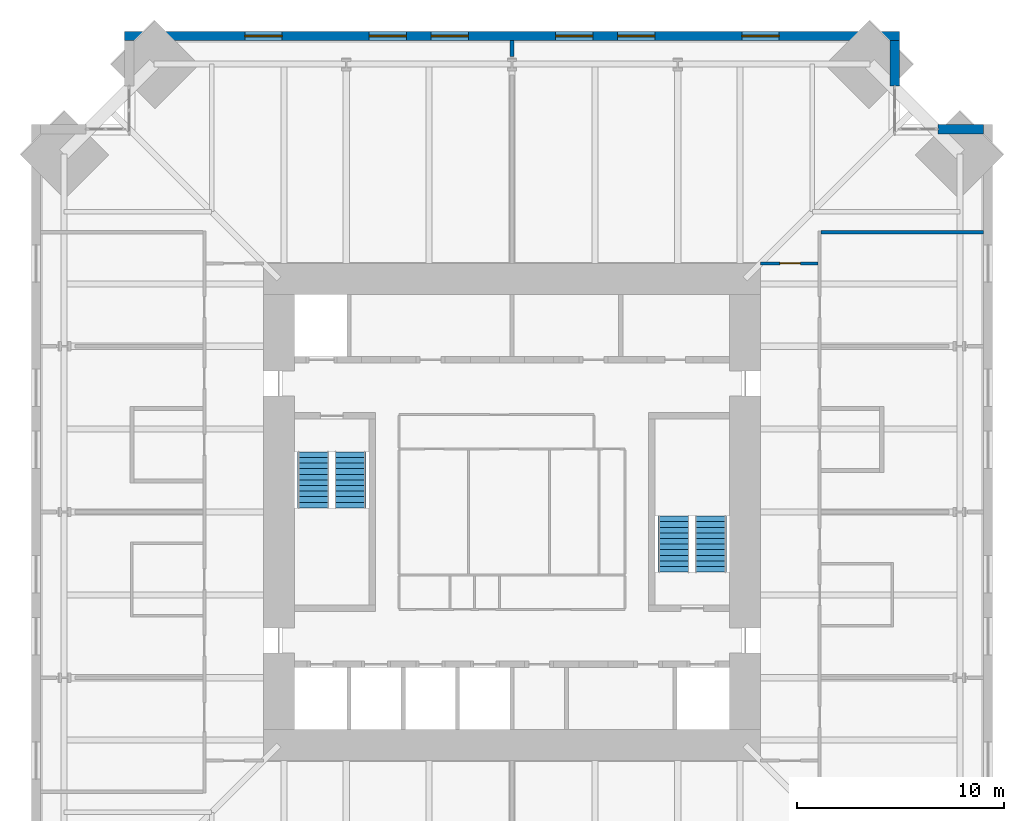
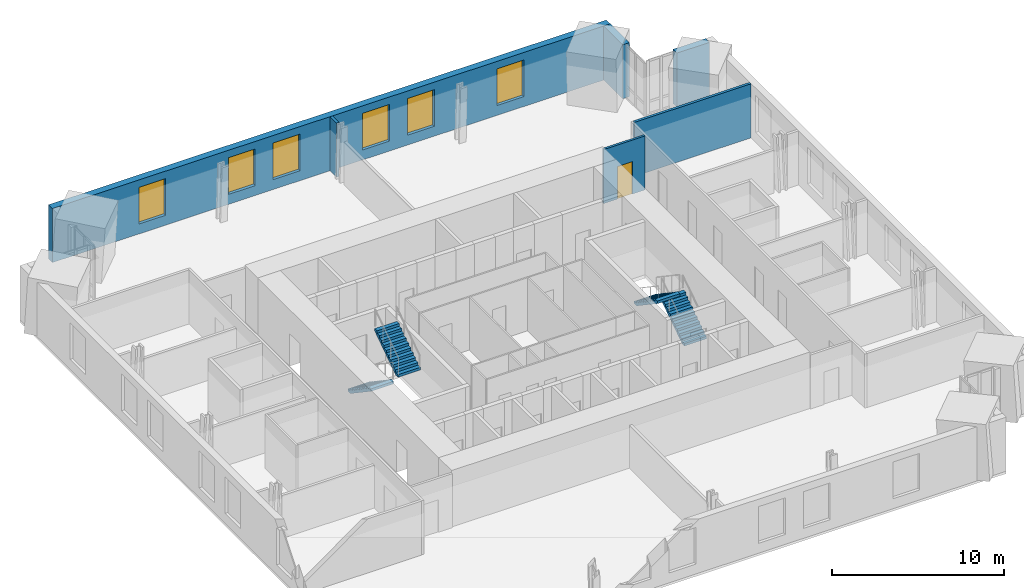
# One storey, part 14 of 15: 6 walls, 6 windows, 4 stair flights, 1 door, 7 openings, 2 elements without a shape of their own.
"""IFC4 building model written with IfcOpenShell, lengths in metres."""

from ifc_helpers import new_model, si_unit, direction, frame, frame_2d, origin, place, context, subcontext, project, spatial, polyline, rectangle, outline, extrude, material, layer, layer_set, type_object, element, fill, aggregate, save


model = new_model("IFC4")

# Units and contexts
model_context = context("Model", 3, precision=1e-05, world=origin(), true_north=direction((0.0, 1.0)))
body_context = subcontext(model_context, "Body", "Model", "MODEL_VIEW")
ifc_project = project(units=[si_unit("LENGTHUNIT", "METRE"), si_unit("AREAUNIT", "SQUARE_METRE"), si_unit("VOLUMEUNIT", "CUBIC_METRE"), si_unit("PLANEANGLEUNIT", "RADIAN"), si_unit("MASSUNIT", "GRAM", prefix="KILO")], contexts=[model_context])

# Site, building, storey
site_placement = place(None, origin())
site = spatial("IfcSite", under=ifc_project, at=site_placement, CompositionType="ELEMENT")
building_placement = place(site_placement, origin())
building = spatial("IfcBuilding", under=site, at=building_placement, Name="Peilmerk Tower", CompositionType="ELEMENT")
storey_placement = place(building_placement, frame((0.0, 0.0, 229.800048828125)))
storey = spatial("IfcBuildingStorey", under=building, at=storey_placement, Name="L50", CompositionType="ELEMENT", Elevation=229.800048828125)

# Wall, openings, windows
ifc_material_1 = material(Name="Precast concrete C45/55, board-marked finish", Category="concrete")
ifc_layer_1 = layer(ifc_material_1, 0.449951171875)
ifc_layer_set_1 = layer_set([ifc_layer_1], Name="Precast concrete C45/55, board-marked finish")
wall_type_1 = type_object("IfcWallType", Name="EW1 450 precast concrete facade wall, board-marked", PredefinedType="SOLIDWALL", material=ifc_layer_set_1)
wall_1_placement = place(storey_placement, frame((18.699951171875, 22.97509765625, 0.0), z_axis=(0.0, 0.0, 1.0), x_axis=(-1.0, 0.0, 0.0)))
wall_1 = element("IfcWall", 1, at=wall_1_placement, inside=storey, type_object=wall_type_1, Name="Facade wall N L50", PredefinedType="SOLIDWALL", context=body_context, shape_type="SweptSolid", body=[
    extrude(rectangle(XDim=37.39990234375, YDim=0.449951171875, at=frame_2d((18.699951171875, 0.0))), origin(), (0.0, 0.0, 1.0), 3.829833984375),
])
opening_1_placement = place(wall_1_placement, frame((5.800048828125, 0.0, 0.699951171875)))
opening_1 = element("IfcOpeningElement", 2, at=opening_1_placement, cuts=wall_1, Name="Opening W1", PredefinedType="OPENING", context=body_context, shape_type="SweptSolid", body=[
    extrude(rectangle(XDim=1.800048828125, YDim=2.60009765625, at=frame_2d((0.89990234375, 1.300048828125))), frame((0.0, 0.23486328125, 0.0), z_axis=(0.0, -1.0, 0.0), x_axis=(1.0, 0.0, 0.0)), (0.0, 0.0, 1.0), 0.469970703125),
])
opening_2_placement = place(wall_1_placement, frame((11.800048828125, 0.0, 0.699951171875)))
opening_2 = element("IfcOpeningElement", 3, at=opening_2_placement, cuts=wall_1, Name="Opening W1", PredefinedType="OPENING", context=body_context, shape_type="SweptSolid", body=[
    extrude(rectangle(XDim=1.800048828125, YDim=2.60009765625, at=frame_2d((0.89990234375, 1.300048828125))), frame((0.0, 0.23486328125, 0.0), z_axis=(0.0, -1.0, 0.0), x_axis=(1.0, 0.0, 0.0)), (0.0, 0.0, 1.0), 0.469970703125),
])
opening_3_placement = place(wall_1_placement, frame((14.800048828125, 0.0, 0.699951171875)))
opening_3 = element("IfcOpeningElement", 4, at=opening_3_placement, cuts=wall_1, Name="Opening W1", PredefinedType="OPENING", context=body_context, shape_type="SweptSolid", body=[
    extrude(rectangle(XDim=1.800048828125, YDim=2.60009765625, at=frame_2d((0.89990234375, 1.300048828125))), frame((0.0, 0.23486328125, 0.0), z_axis=(0.0, -1.0, 0.0), x_axis=(1.0, 0.0, 0.0)), (0.0, 0.0, 1.0), 0.469970703125),
])
opening_4_placement = place(wall_1_placement, frame((20.800048828125, 0.0, 0.699951171875)))
opening_4 = element("IfcOpeningElement", 5, at=opening_4_placement, cuts=wall_1, Name="Opening W1", PredefinedType="OPENING", context=body_context, shape_type="SweptSolid", body=[
    extrude(rectangle(XDim=1.800048828125, YDim=2.60009765625, at=frame_2d((0.89990234375, 1.300048828125))), frame((0.0, 0.23486328125, 0.0), z_axis=(0.0, -1.0, 0.0), x_axis=(1.0, 0.0, 0.0)), (0.0, 0.0, 1.0), 0.469970703125),
])
opening_5_placement = place(wall_1_placement, frame((23.800048828125, 0.0, 0.699951171875)))
opening_5 = element("IfcOpeningElement", 6, at=opening_5_placement, cuts=wall_1, Name="Opening W1", PredefinedType="OPENING", context=body_context, shape_type="SweptSolid", body=[
    extrude(rectangle(XDim=1.800048828125, YDim=2.60009765625, at=frame_2d((0.89990234375, 1.300048828125))), frame((0.0, 0.23486328125, 0.0), z_axis=(0.0, -1.0, 0.0), x_axis=(1.0, 0.0, 0.0)), (0.0, 0.0, 1.0), 0.469970703125),
])
opening_6_placement = place(wall_1_placement, frame((29.800048828125, 0.0, 0.699951171875)))
opening_6 = element("IfcOpeningElement", 7, at=opening_6_placement, cuts=wall_1, Name="Opening W1", PredefinedType="OPENING", context=body_context, shape_type="SweptSolid", body=[
    extrude(rectangle(XDim=1.800048828125, YDim=2.60009765625, at=frame_2d((0.89990234375, 1.300048828125))), frame((0.0, 0.23486328125, 0.0), z_axis=(0.0, -1.0, 0.0), x_axis=(1.0, 0.0, 0.0)), (0.0, 0.0, 1.0), 0.469970703125),
])
ifc_material_2 = material(Name="Aluminium frame, clear double glazing", Category="aluminium")
window_type = type_object("IfcWindowType", Name="W1 1800x2600 office window", PartitioningType="SINGLE_PANEL", PredefinedType="WINDOW", material=ifc_material_2)
window_1_placement = place(opening_1_placement, origin())
window_1 = element("IfcWindow", 8, at=window_1_placement, inside=storey, type_object=window_type, Name="Window W1 L50", OverallHeight=2.60009765625, OverallWidth=1.800048828125, PartitioningType="SINGLE_PANEL", PredefinedType="WINDOW", context=body_context, shape_type="SweptSolid", body=[
    extrude(rectangle(XDim=1.800048828125, YDim=2.60009765625, at=frame_2d((0.89990234375, 1.300048828125))), frame((0.0, 0.030029296875, 0.0), z_axis=(0.0, -1.0, 0.0), x_axis=(1.0, 0.0, 0.0)), (0.0, 0.0, 1.0), 0.06005859375),
])
fill(opening_1, window_1)
window_2_placement = place(opening_2_placement, origin())
window_2 = element("IfcWindow", 9, at=window_2_placement, inside=storey, type_object=window_type, Name="Window W1 L50", OverallHeight=2.60009765625, OverallWidth=1.800048828125, PartitioningType="SINGLE_PANEL", PredefinedType="WINDOW", context=body_context, shape_type="SweptSolid", body=[
    extrude(rectangle(XDim=1.800048828125, YDim=2.60009765625, at=frame_2d((0.89990234375, 1.300048828125))), frame((0.0, 0.030029296875, 0.0), z_axis=(0.0, -1.0, 0.0), x_axis=(1.0, 0.0, 0.0)), (0.0, 0.0, 1.0), 0.06005859375),
])
fill(opening_2, window_2)
window_3_placement = place(opening_3_placement, origin())
window_3 = element("IfcWindow", 10, at=window_3_placement, inside=storey, type_object=window_type, Name="Window W1 L50", OverallHeight=2.60009765625, OverallWidth=1.800048828125, PartitioningType="SINGLE_PANEL", PredefinedType="WINDOW", context=body_context, shape_type="SweptSolid", body=[
    extrude(rectangle(XDim=1.800048828125, YDim=2.60009765625, at=frame_2d((0.89990234375, 1.300048828125))), frame((0.0, 0.030029296875, 0.0), z_axis=(0.0, -1.0, 0.0), x_axis=(1.0, 0.0, 0.0)), (0.0, 0.0, 1.0), 0.06005859375),
])
fill(opening_3, window_3)
window_4_placement = place(opening_4_placement, origin())
window_4 = element("IfcWindow", 11, at=window_4_placement, inside=storey, type_object=window_type, Name="Window W1 L50", OverallHeight=2.60009765625, OverallWidth=1.800048828125, PartitioningType="SINGLE_PANEL", PredefinedType="WINDOW", context=body_context, shape_type="SweptSolid", body=[
    extrude(rectangle(XDim=1.800048828125, YDim=2.60009765625, at=frame_2d((0.89990234375, 1.300048828125))), frame((0.0, 0.030029296875, 0.0), z_axis=(0.0, -1.0, 0.0), x_axis=(1.0, 0.0, 0.0)), (0.0, 0.0, 1.0), 0.06005859375),
])
fill(opening_4, window_4)
window_5_placement = place(opening_5_placement, origin())
window_5 = element("IfcWindow", 12, at=window_5_placement, inside=storey, type_object=window_type, Name="Window W1 L50", OverallHeight=2.60009765625, OverallWidth=1.800048828125, PartitioningType="SINGLE_PANEL", PredefinedType="WINDOW", context=body_context, shape_type="SweptSolid", body=[
    extrude(rectangle(XDim=1.800048828125, YDim=2.60009765625, at=frame_2d((0.89990234375, 1.300048828125))), frame((0.0, 0.030029296875, 0.0), z_axis=(0.0, -1.0, 0.0), x_axis=(1.0, 0.0, 0.0)), (0.0, 0.0, 1.0), 0.06005859375),
])
fill(opening_5, window_5)
window_6_placement = place(opening_6_placement, origin())
window_6 = element("IfcWindow", 13, at=window_6_placement, inside=storey, type_object=window_type, Name="Window W1 L50", OverallHeight=2.60009765625, OverallWidth=1.800048828125, PartitioningType="SINGLE_PANEL", PredefinedType="WINDOW", context=body_context, shape_type="SweptSolid", body=[
    extrude(rectangle(XDim=1.800048828125, YDim=2.60009765625, at=frame_2d((0.89990234375, 1.300048828125))), frame((0.0, 0.030029296875, 0.0), z_axis=(0.0, -1.0, 0.0), x_axis=(1.0, 0.0, 0.0)), (0.0, 0.0, 1.0), 0.06005859375),
])
fill(opening_6, window_6)

# Walls
for number, where, z_axis, x_axis, name in (
    (14, (18.47509765625, 20.5537109375, 0.0), (0.0, 0.0, 1.0), (0.0, 1.0, 0.0), "Facade wall NEA L50"),
    (15, (20.5537109375, 18.47509765625, 0.0), (0.0, 0.0, 1.0), (1.0, 0.0, 0.0), "Facade wall NEB L50"),
):
    element("IfcWall", number, at=place(storey_placement, frame(where, z_axis=z_axis, x_axis=x_axis)), inside=storey, type_object=wall_type_1, Name=name, PredefinedType="SOLIDWALL", context=body_context, shape_type="SweptSolid", body=[
        extrude(rectangle(XDim=2.1962890625, YDim=0.449951171875, at=frame_2d((1.09814453125, 0.0))), origin(), (0.0, 0.0, 1.0), 3.829833984375),
    ])

# Wall, opening, door
ifc_material_3 = material(Name="Calcium silicate block", Category="masonry")
ifc_layer_2 = layer(ifc_material_3, 0.14990234375)
ifc_layer_set_2 = layer_set([ifc_layer_2], Name="Calcium silicate block")
wall_type_2 = type_object("IfcWallType", Name="IW1 150 corridor partition, EI 60", PredefinedType="PARTITIONING", material=ifc_layer_set_2)
wall_2_placement = place(storey_placement, frame((12.0, 12.0, 0.0), z_axis=(0.0, 0.0, 1.0), x_axis=(1.0, 0.0, 0.0)))
wall_2 = element("IfcWall", 16, at=wall_2_placement, inside=storey, type_object=wall_type_2, Name="Corridor wall NE L50", PredefinedType="PARTITIONING", context=body_context, shape_type="SweptSolid", body=[
    extrude(rectangle(XDim=2.77490234375, YDim=0.14990234375, at=frame_2d((1.387451171875, 0.0))), origin(), (0.0, 0.0, 1.0), 3.829833984375),
])
opening_7_placement = place(wall_2_placement, frame((0.925048828125, 0.0, 0.0)))
opening_7 = element("IfcOpeningElement", 17, at=opening_7_placement, cuts=wall_2, Name="Opening D1", PredefinedType="OPENING", context=body_context, shape_type="SweptSolid", body=[
    extrude(rectangle(XDim=1.0, YDim=2.300048828125, at=frame_2d((0.5, 1.14990234375))), frame((0.0, 0.0849609375, 0.0), z_axis=(0.0, -1.0, 0.0), x_axis=(1.0, 0.0, 0.0)), (0.0, 0.0, 1.0), 0.169921875),
])
ifc_material_4 = material(Name="Timber door in steel frame", Category="steel")
door_type = type_object("IfcDoorType", Name="D1 1000x2300 room door, EI2 30", OperationType="SINGLE_SWING_LEFT", PredefinedType="DOOR", material=ifc_material_4)
door_placement = place(opening_7_placement, origin())
door = element("IfcDoor", 18, at=door_placement, inside=storey, type_object=door_type, Name="Door Office L50", OperationType="SINGLE_SWING_LEFT", OverallHeight=2.300048828125, OverallWidth=1.0, PredefinedType="DOOR", context=body_context, shape_type="SweptSolid", body=[
    extrude(rectangle(XDim=1.0, YDim=2.300048828125, at=frame_2d((0.5, 1.14990234375))), frame((0.0, 0.02490234375, 0.0), z_axis=(0.0, -1.0, 0.0), x_axis=(1.0, 0.0, 0.0)), (0.0, 0.0, 1.0), 0.050048828125),
])
fill(opening_7, door)

# Walls
ifc_layer_3 = layer(ifc_material_3, 0.175048828125)
ifc_layer_set_3 = layer_set([ifc_layer_3], Name="Calcium silicate block")
wall_type_3 = type_object("IfcWallType", Name="IW8 175 tenant separating wall, EI 60", PredefinedType="PARTITIONING", material=ifc_layer_set_3)
wall_3_placement = place(storey_placement, frame((14.925048828125, 13.5, 0.0), z_axis=(0.0, 0.0, 1.0), x_axis=(1.0, 0.0, 0.0)))
element("IfcWall", 19, at=wall_3_placement, inside=storey, type_object=wall_type_3, Name="Tenant separating wall NE L50", PredefinedType="PARTITIONING", context=body_context, shape_type="SweptSolid", body=[
    extrude(rectangle(XDim=7.824951171875, YDim=0.175048828125, at=frame_2d((3.91259765625, 0.0))), origin(), (0.0, 0.0, 1.0), 3.829833984375),
])
wall_4_placement = place(storey_placement, frame((0.0, 21.99462890625, 0.0), z_axis=(0.0, 0.0, 1.0), x_axis=(0.0, 1.0, 0.0)))
element("IfcWall", 20, at=wall_4_placement, inside=storey, type_object=wall_type_3, Name="Tenant separating wall N1b L50", PredefinedType="PARTITIONING", context=body_context, shape_type="SweptSolid", body=[
    extrude(rectangle(XDim=0.75537109375, YDim=0.175048828125, at=frame_2d((0.377685546875, 0.0))), origin(), (0.0, 0.0, 1.0), 3.829833984375),
])

# Stair, stair flights
ifc_material_5 = material(Name="Precast concrete C45/55", Category="concrete")
stair_type_1 = type_object("IfcStairType", Name="ST1 22 risers of 181.8", PredefinedType="HALF_TURN_STAIR", material=ifc_material_5)
stair_1_placement = place(storey_placement, origin())
stair_1 = element("IfcStair", 21, at=stair_1_placement, inside=storey, type_object=stair_type_1, Name="Stair 1 L50 to L51", PredefinedType="HALF_TURN_STAIR")
stair_flight_type = type_object("IfcStairFlightType", Name="SF11 flight, 11 risers of 181.8", PredefinedType="STRAIGHT", material=ifc_material_5)
stair_flight_1_placement = place(storey_placement, frame((-9.60009765625, 2.89990234375, 0.0), z_axis=(0.0, 0.0, 1.0), x_axis=(0.0, -1.0, 0.0)))
stair_flight_1 = element("IfcStairFlight", 22, at=stair_flight_1_placement, type_object=stair_flight_type, Name="ST1 flight 1", NumberOfRisers=11, NumberOfTreads=10, PredefinedType="STRAIGHT", RiserHeight=0.181818182, TreadLength=0.27, context=body_context, shape_type="SweptSolid", body=[
    extrude(outline(polyline([(0.0, 0.0), (0.0, 0.181884765625), (0.27001953125, 0.181884765625), (0.27001953125, 0.363525390625), (0.5400390625, 0.363525390625), (0.5400390625, 0.54541015625), (0.81005859375, 0.54541015625), (0.81005859375, 0.727294921875), (1.080078125, 0.727294921875), (1.080078125, 0.9091796875), (1.35009765625, 0.9091796875), (1.35009765625, 1.0908203125), (1.6201171875, 1.0908203125), (1.6201171875, 1.272705078125), (1.889892578125, 1.272705078125), (1.889892578125, 1.45458984375), (2.159912109375, 1.45458984375), (2.159912109375, 1.636474609375), (2.429931640625, 1.636474609375), (2.429931640625, 1.818115234375), (2.699951171875, 1.818115234375), (2.699951171875, 2.0), (2.699951171875, 1.637451171875), (0.268310546875, 0.0), (0.0, 0.0)])), frame((0.0, 0.75, 0.0), z_axis=(0.0, -1.0, 0.0), x_axis=(1.0, 0.0, 0.0)), (0.0, 0.0, 1.0), 1.5),
])
stair_flight_2_placement = place(storey_placement, frame((-7.800048828125, 0.199951171875, 2.0), z_axis=(0.0, 0.0, 1.0), x_axis=(0.0, 1.0, 0.0)))
stair_flight_2 = element("IfcStairFlight", 23, at=stair_flight_2_placement, type_object=stair_flight_type, Name="ST1 flight 2", NumberOfRisers=11, NumberOfTreads=10, PredefinedType="STRAIGHT", RiserHeight=0.181818182, TreadLength=0.27, context=body_context, shape_type="SweptSolid", body=[
    extrude(outline(polyline([(0.0, 0.0), (0.0, 0.181884765625), (0.27001953125, 0.181884765625), (0.27001953125, 0.363525390625), (0.5400390625, 0.363525390625), (0.5400390625, 0.54541015625), (0.81005859375, 0.54541015625), (0.81005859375, 0.727294921875), (1.080078125, 0.727294921875), (1.080078125, 0.9091796875), (1.35009765625, 0.9091796875), (1.35009765625, 1.0908203125), (1.6201171875, 1.0908203125), (1.6201171875, 1.272705078125), (1.889892578125, 1.272705078125), (1.889892578125, 1.45458984375), (2.159912109375, 1.45458984375), (2.159912109375, 1.636474609375), (2.429931640625, 1.636474609375), (2.429931640625, 1.818115234375), (2.699951171875, 1.818115234375), (2.699951171875, 2.0), (2.699951171875, 1.637451171875), (0.268310546875, 0.0), (0.0, 0.0)])), frame((0.0, 0.75, 0.0), z_axis=(0.0, -1.0, 0.0), x_axis=(1.0, 0.0, 0.0)), (0.0, 0.0, 1.0), 1.5),
])
aggregate(stair_1, [stair_flight_1, stair_flight_2])

stair_type_2 = type_object("IfcStairType", Name="ST2 22 risers of 181.8", PredefinedType="HALF_TURN_STAIR", material=ifc_material_5)
stair_2_placement = place(storey_placement, origin())
stair_2 = element("IfcStair", 24, at=stair_2_placement, inside=storey, type_object=stair_type_2, Name="Stair 2 L50 to L51", PredefinedType="HALF_TURN_STAIR")
stair_flight_3_placement = place(storey_placement, frame((9.60009765625, -2.89990234375, 0.0), z_axis=(0.0, 0.0, 1.0), x_axis=(0.0, 1.0, 0.0)))
stair_flight_3 = element("IfcStairFlight", 25, at=stair_flight_3_placement, type_object=stair_flight_type, Name="ST2 flight 1", NumberOfRisers=11, NumberOfTreads=10, PredefinedType="STRAIGHT", RiserHeight=0.181818182, TreadLength=0.27, context=body_context, shape_type="SweptSolid", body=[
    extrude(outline(polyline([(0.0, 0.0), (0.0, 0.181884765625), (0.27001953125, 0.181884765625), (0.27001953125, 0.363525390625), (0.5400390625, 0.363525390625), (0.5400390625, 0.54541015625), (0.81005859375, 0.54541015625), (0.81005859375, 0.727294921875), (1.080078125, 0.727294921875), (1.080078125, 0.9091796875), (1.35009765625, 0.9091796875), (1.35009765625, 1.0908203125), (1.6201171875, 1.0908203125), (1.6201171875, 1.272705078125), (1.889892578125, 1.272705078125), (1.889892578125, 1.45458984375), (2.159912109375, 1.45458984375), (2.159912109375, 1.636474609375), (2.429931640625, 1.636474609375), (2.429931640625, 1.818115234375), (2.699951171875, 1.818115234375), (2.699951171875, 2.0), (2.699951171875, 1.637451171875), (0.268310546875, 0.0), (0.0, 0.0)])), frame((0.0, 0.75, 0.0), z_axis=(0.0, -1.0, 0.0), x_axis=(1.0, 0.0, 0.0)), (0.0, 0.0, 1.0), 1.5),
])
stair_flight_4_placement = place(storey_placement, frame((7.800048828125, -0.199951171875, 2.0), z_axis=(0.0, 0.0, 1.0), x_axis=(0.0, -1.0, 0.0)))
stair_flight_4 = element("IfcStairFlight", 26, at=stair_flight_4_placement, type_object=stair_flight_type, Name="ST2 flight 2", NumberOfRisers=11, NumberOfTreads=10, PredefinedType="STRAIGHT", RiserHeight=0.181818182, TreadLength=0.27, context=body_context, shape_type="SweptSolid", body=[
    extrude(outline(polyline([(0.0, 0.0), (0.0, 0.181884765625), (0.27001953125, 0.181884765625), (0.27001953125, 0.363525390625), (0.5400390625, 0.363525390625), (0.5400390625, 0.54541015625), (0.81005859375, 0.54541015625), (0.81005859375, 0.727294921875), (1.080078125, 0.727294921875), (1.080078125, 0.9091796875), (1.35009765625, 0.9091796875), (1.35009765625, 1.0908203125), (1.6201171875, 1.0908203125), (1.6201171875, 1.272705078125), (1.889892578125, 1.272705078125), (1.889892578125, 1.45458984375), (2.159912109375, 1.45458984375), (2.159912109375, 1.636474609375), (2.429931640625, 1.636474609375), (2.429931640625, 1.818115234375), (2.699951171875, 1.818115234375), (2.699951171875, 2.0), (2.699951171875, 1.637451171875), (0.268310546875, 0.0), (0.0, 0.0)])), frame((0.0, 0.75, 0.0), z_axis=(0.0, -1.0, 0.0), x_axis=(1.0, 0.0, 0.0)), (0.0, 0.0, 1.0), 1.5),
])
aggregate(stair_2, [stair_flight_3, stair_flight_4])

save(model, "model.ifc")
